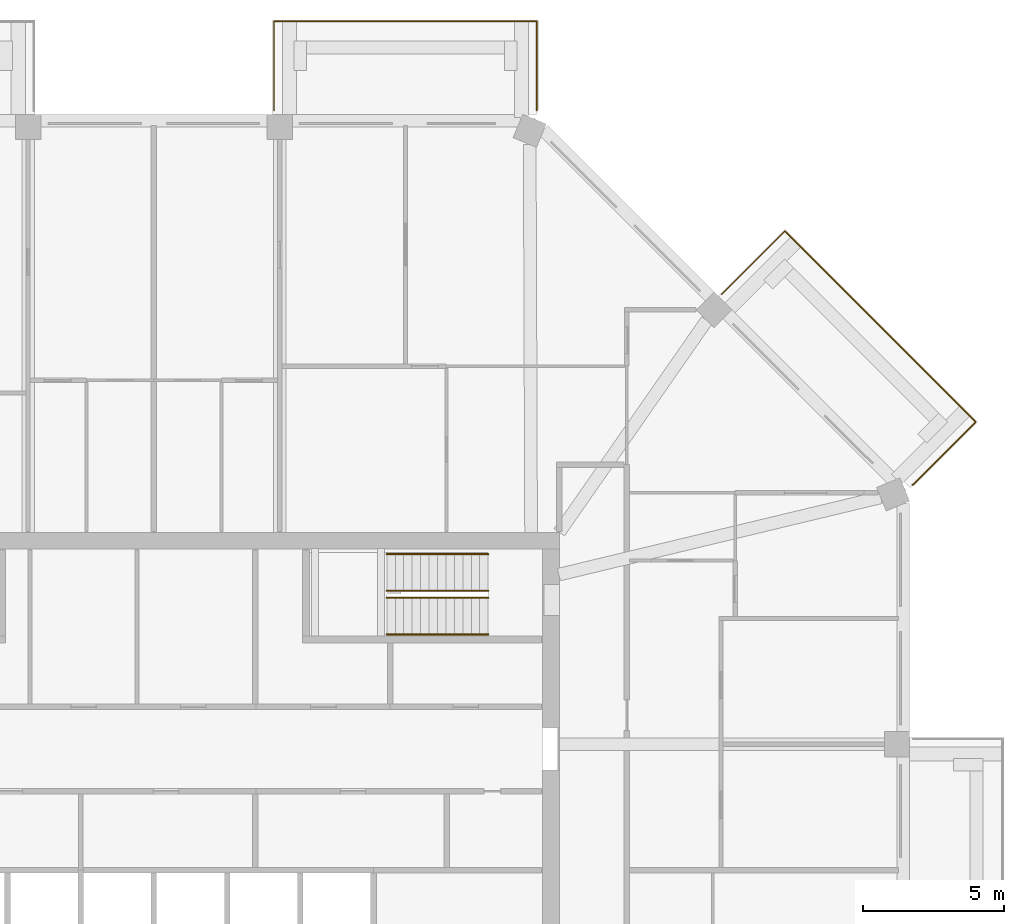
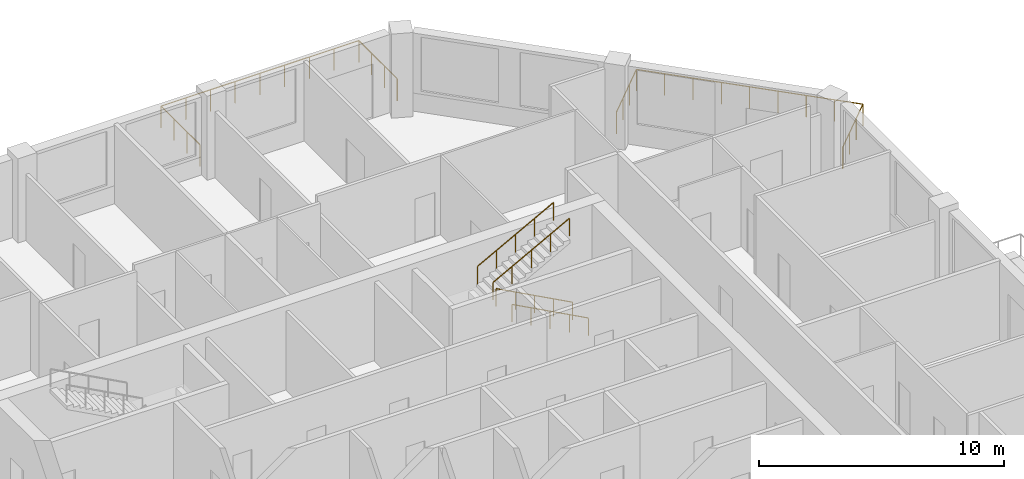
# One storey, part 12 of 12: 6 railings.
"""IFC4 building model written with IfcOpenShell, lengths in metres."""

from ifc_helpers import new_model, si_unit, direction, frame, origin, origin_2d, place, context, subcontext, project, spatial, circle, extrude, material, constituent, constituent_set, type_object, element, save


model = new_model("IFC4")

# Units and contexts
model_context = context("Model", 3, precision=1e-05, world=origin(), true_north=direction((0.0, 1.0)))
body_context = subcontext(model_context, "Body", "Model", "MODEL_VIEW")
ifc_project = project(units=[si_unit("LENGTHUNIT", "METRE"), si_unit("AREAUNIT", "SQUARE_METRE"), si_unit("VOLUMEUNIT", "CUBIC_METRE"), si_unit("PLANEANGLEUNIT", "RADIAN"), si_unit("MASSUNIT", "GRAM", prefix="KILO")], contexts=[model_context])

# Site, building, storey
site_placement = place(None, origin())
site = spatial("IfcSite", under=ifc_project, at=site_placement, CompositionType="ELEMENT")
building_placement = place(site_placement, origin())
building = spatial("IfcBuilding", under=site, at=building_placement, Name="Msitu Wima Residences", CompositionType="ELEMENT")
storey_placement = place(building_placement, frame((0.0, 0.0, 255.89990234375)))
storey = spatial("IfcBuildingStorey", under=building, at=storey_placement, Name="L59", CompositionType="ELEMENT", Elevation=255.89990234375)

# Railings
ifc_material_1 = material(Name="Steel S355", Category="steel")
ifc_constituent_1 = constituent(ifc_material_1, Name="Steel S355")
ifc_material_2 = material(Name="Weathering patina")
ifc_constituent_2 = constituent(ifc_material_2, Name="Weathering patina")
ifc_constituent_set_1 = constituent_set(constituents=[ifc_constituent_1, ifc_constituent_2], Name="Steel S355")
railing_type_1 = type_object("IfcRailingType", Name="Balcony guard GR1100", PredefinedType="GUARDRAIL", material=ifc_constituent_set_1)
railing_1_placement = place(storey_placement, frame((20.171630859375, 20.45458984375, 0.0)))
element("IfcRailing", 1, at=railing_1_placement, inside=storey, type_object=railing_type_1, Name="Balcony guard NE0 L59", PredefinedType="GUARDRAIL", context=body_context, shape_type="SweptSolid", body=[
    extrude(circle(Radius=0.02392578125, at=origin_2d()), frame((0.0, 0.0, 1.076171875), z_axis=(0.707106781187, 0.707106781187, 0.0), x_axis=(-0.707106781187, 0.707106781187, 0.0)), (0.0, 0.0, 1.0), 3.169921875),
    extrude(circle(Radius=0.02392578125, at=origin_2d()), frame((2.241455078125, 2.241455078125, 1.076171875), z_axis=(0.707106781187, -0.707106781187, 0.0), x_axis=(0.707106781187, 0.707106781187, 0.0)), (0.0, 0.0, 1.0), 9.58837890625),
    extrude(circle(Radius=0.02392578125, at=origin_2d()), frame((9.021484375, -4.53857421875, 1.076171875), z_axis=(-0.707106781187, -0.707106781187, 0.0), x_axis=(0.707106781187, -0.707106781187, 0.0)), (0.0, 0.0, 1.0), 3.136474609375),
    extrude(circle(Radius=0.02392578125, at=origin_2d()), frame((6.8037109375, -6.75634765625, 1.076171875), z_axis=(-0.92426142649, -0.38176015442, 0.0), x_axis=(0.38176015442, -0.92426142649, 0.0)), (0.0, 0.0, 1.0), 0.036376953125),
    extrude(circle(Radius=0.02099609375, at=origin_2d()), origin(), (0.0, 0.0, 1.0), 1.052001953125),
    extrude(circle(Radius=0.02099609375, at=origin_2d()), frame((0.7470703125, 0.7470703125, 0.0)), (0.0, 0.0, 1.0), 1.052001953125),
    extrude(circle(Radius=0.02099609375, at=origin_2d()), frame((1.494384765625, 1.494384765625, 0.0)), (0.0, 0.0, 1.0), 1.052001953125),
    extrude(circle(Radius=0.02099609375, at=origin_2d()), frame((2.241455078125, 2.241455078125, 0.0)), (0.0, 0.0, 1.0), 1.052001953125),
    extrude(circle(Radius=0.02099609375, at=origin_2d()), frame((3.0888671875, 1.39404296875, 0.0)), (0.0, 0.0, 1.0), 1.052001953125),
    extrude(circle(Radius=0.02099609375, at=origin_2d()), frame((3.9365234375, 0.54638671875, 0.0)), (0.0, 0.0, 1.0), 1.052001953125),
    extrude(circle(Radius=0.02099609375, at=origin_2d()), frame((4.783935546875, -0.301025390625, 0.0)), (0.0, 0.0, 1.0), 1.052001953125),
    extrude(circle(Radius=0.02099609375, at=origin_2d()), frame((5.63134765625, -1.1484375, 0.0)), (0.0, 0.0, 1.0), 1.052001953125),
    extrude(circle(Radius=0.02099609375, at=origin_2d()), frame((6.47900390625, -1.99609375, 0.0)), (0.0, 0.0, 1.0), 1.052001953125),
    extrude(circle(Radius=0.02099609375, at=origin_2d()), frame((7.326416015625, -2.843505859375, 0.0)), (0.0, 0.0, 1.0), 1.052001953125),
    extrude(circle(Radius=0.02099609375, at=origin_2d()), frame((8.174072265625, -3.691162109375, 0.0)), (0.0, 0.0, 1.0), 1.052001953125),
    extrude(circle(Radius=0.02099609375, at=origin_2d()), frame((9.021484375, -4.53857421875, 0.0)), (0.0, 0.0, 1.0), 1.052001953125),
    extrude(circle(Radius=0.02099609375, at=origin_2d()), frame((8.2822265625, -5.27783203125, 0.0)), (0.0, 0.0, 1.0), 1.052001953125),
    extrude(circle(Radius=0.02099609375, at=origin_2d()), frame((7.54296875, -6.01708984375, 0.0)), (0.0, 0.0, 1.0), 1.052001953125),
    extrude(circle(Radius=0.02099609375, at=origin_2d()), frame((6.8037109375, -6.75634765625, 0.0)), (0.0, 0.0, 1.0), 1.052001953125),
    extrude(circle(Radius=0.02099609375, at=origin_2d()), frame((6.77001953125, -6.770263671875, 0.0)), (0.0, 0.0, 1.0), 1.052001953125),
])
railing_2_placement = place(storey_placement, frame((4.2685546875, 26.97998046875, 0.0)))
element("IfcRailing", 2, at=railing_2_placement, inside=storey, type_object=railing_type_1, Name="Balcony guard N0 L59", PredefinedType="GUARDRAIL", context=body_context, shape_type="SweptSolid", body=[
    extrude(circle(Radius=0.02392578125, at=origin_2d()), frame((0.0, 0.0, 1.076171875), z_axis=(0.0, 1.0, 0.0), x_axis=(-1.0, 0.0, 0.0)), (0.0, 0.0, 1.0), 3.169921875),
    extrude(circle(Radius=0.02392578125, at=origin_2d()), frame((0.0, 3.169921875, 1.076171875), z_axis=(1.0, 0.0, 0.0), x_axis=(0.0, 1.0, 0.0)), (0.0, 0.0, 1.0), 9.33740234375),
    extrude(circle(Radius=0.02392578125, at=origin_2d()), frame((9.33740234375, 3.169921875, 1.076171875), z_axis=(0.0, -1.0, 0.0), x_axis=(1.0, 0.0, 0.0)), (0.0, 0.0, 1.0), 3.136474609375),
    extrude(circle(Radius=0.02392578125, at=origin_2d()), frame((9.33740234375, 0.033447265625, 1.076171875), z_axis=(-0.384136806859, -0.923276184907, 0.0), x_axis=(0.923276184907, -0.384136806859, 0.0)), (0.0, 0.0, 1.0), 0.0361328125),
    extrude(circle(Radius=0.02099609375, at=origin_2d()), origin(), (0.0, 0.0, 1.0), 1.052001953125),
    extrude(circle(Radius=0.02099609375, at=origin_2d()), frame((0.0, 1.056640625, 0.0)), (0.0, 0.0, 1.0), 1.052001953125),
    extrude(circle(Radius=0.02099609375, at=origin_2d()), frame((0.0, 2.11328125, 0.0)), (0.0, 0.0, 1.0), 1.052001953125),
    extrude(circle(Radius=0.02099609375, at=origin_2d()), frame((0.0, 3.169921875, 0.0)), (0.0, 0.0, 1.0), 1.052001953125),
    extrude(circle(Radius=0.02099609375, at=origin_2d()), frame((1.167236328125, 3.169921875, 0.0)), (0.0, 0.0, 1.0), 1.052001953125),
    extrude(circle(Radius=0.02099609375, at=origin_2d()), frame((2.33447265625, 3.169921875, 0.0)), (0.0, 0.0, 1.0), 1.052001953125),
    extrude(circle(Radius=0.02099609375, at=origin_2d()), frame((3.50146484375, 3.169921875, 0.0)), (0.0, 0.0, 1.0), 1.052001953125),
    extrude(circle(Radius=0.02099609375, at=origin_2d()), frame((4.668701171875, 3.169921875, 0.0)), (0.0, 0.0, 1.0), 1.052001953125),
    extrude(circle(Radius=0.02099609375, at=origin_2d()), frame((5.8359375, 3.169921875, 0.0)), (0.0, 0.0, 1.0), 1.052001953125),
    extrude(circle(Radius=0.02099609375, at=origin_2d()), frame((7.0029296875, 3.169921875, 0.0)), (0.0, 0.0, 1.0), 1.052001953125),
    extrude(circle(Radius=0.02099609375, at=origin_2d()), frame((8.170166015625, 3.169921875, 0.0)), (0.0, 0.0, 1.0), 1.052001953125),
    extrude(circle(Radius=0.02099609375, at=origin_2d()), frame((9.33740234375, 3.169921875, 0.0)), (0.0, 0.0, 1.0), 1.052001953125),
    extrude(circle(Radius=0.02099609375, at=origin_2d()), frame((9.33740234375, 2.12451171875, 0.0)), (0.0, 0.0, 1.0), 1.052001953125),
    extrude(circle(Radius=0.02099609375, at=origin_2d()), frame((9.33740234375, 1.078857421875, 0.0)), (0.0, 0.0, 1.0), 1.052001953125),
    extrude(circle(Radius=0.02099609375, at=origin_2d()), frame((9.33740234375, 0.033447265625, 0.0)), (0.0, 0.0, 1.0), 1.052001953125),
    extrude(circle(Radius=0.02099609375, at=origin_2d()), frame((9.323486328125, 0.0, 0.0)), (0.0, 0.0, 1.0), 1.052001953125),
])
ifc_constituent_3 = constituent(ifc_material_1, Name="Steel S355")
ifc_material_3 = material(Name="Black powder coating")
ifc_constituent_4 = constituent(ifc_material_3, Name="Black powder coating")
ifc_constituent_set_2 = constituent_set(constituents=[ifc_constituent_3, ifc_constituent_4], Name="Steel S355")
railing_type_2 = type_object("IfcRailingType", Name="Stair handrail HR1", PredefinedType="HANDRAIL", material=ifc_constituent_set_2)
for number, where, name in (
    (3, (11.875, 8.375, 0.16162109375), "Stair 3 handrail"),
    (4, (11.875, 9.675048828125, 0.16162109375), "Stair 3 handrail"),
):
    element("IfcRailing", number, at=place(storey_placement, frame(where)), inside=storey, type_object=railing_type_2, Name=name, PredefinedType="HANDRAIL", context=body_context, shape_type="SweptSolid", body=[
        extrude(circle(Radius=0.02392578125, at=origin_2d()), frame((0.0, 0.0, 0.8759765625), z_axis=(-0.880474934443, 0.0, 0.474092701714), x_axis=(0.0, -1.0, 0.0)), (0.0, 0.0, 1.0), 4.0888671875),
        extrude(circle(Radius=0.02099609375, at=origin_2d()), origin(), (0.0, 0.0, 1.0), 0.851806640625),
        extrude(circle(Radius=0.02099609375, at=origin_2d()), frame((-0.89990234375, 0.0, 0.484619140625)), (0.0, 0.0, 1.0), 0.851806640625),
        extrude(circle(Radius=0.02099609375, at=origin_2d()), frame((-1.800048828125, 0.0, 0.96923828125)), (0.0, 0.0, 1.0), 0.851806640625),
        extrude(circle(Radius=0.02099609375, at=origin_2d()), frame((-2.7001953125, 0.0, 1.453857421875)), (0.0, 0.0, 1.0), 0.851806640625),
        extrude(circle(Radius=0.02099609375, at=origin_2d()), frame((-3.60009765625, 0.0, 1.9384765625)), (0.0, 0.0, 1.0), 0.851806640625),
    ])
for number, where, name in (
    (5, (8.27490234375, 9.925048828125, 2.26171875), "Stair 3 handrail"),
    (6, (8.27490234375, 11.22509765625, 2.26171875), "Stair 3 handrail"),
):
    element("IfcRailing", number, at=place(storey_placement, frame(where)), inside=storey, type_object=railing_type_2, Name=name, PredefinedType="HANDRAIL", context=body_context, shape_type="SweptSolid", body=[
        extrude(circle(Radius=0.02392578125, at=origin_2d()), frame((0.0, 0.0, 0.8759765625), z_axis=(0.880474934443, 0.0, 0.474092701714), x_axis=(0.0, 1.0, 0.0)), (0.0, 0.0, 1.0), 4.0888671875),
        extrude(circle(Radius=0.02099609375, at=origin_2d()), origin(), (0.0, 0.0, 1.0), 0.851806640625),
        extrude(circle(Radius=0.02099609375, at=origin_2d()), frame((0.89990234375, 0.0, 0.484619140625)), (0.0, 0.0, 1.0), 0.851806640625),
        extrude(circle(Radius=0.02099609375, at=origin_2d()), frame((1.800048828125, 0.0, 0.96923828125)), (0.0, 0.0, 1.0), 0.851806640625),
        extrude(circle(Radius=0.02099609375, at=origin_2d()), frame((2.7001953125, 0.0, 1.453857421875)), (0.0, 0.0, 1.0), 0.851806640625),
        extrude(circle(Radius=0.02099609375, at=origin_2d()), frame((3.60009765625, 0.0, 1.9384765625)), (0.0, 0.0, 1.0), 0.851806640625),
    ])

save(model, "model.ifc")
